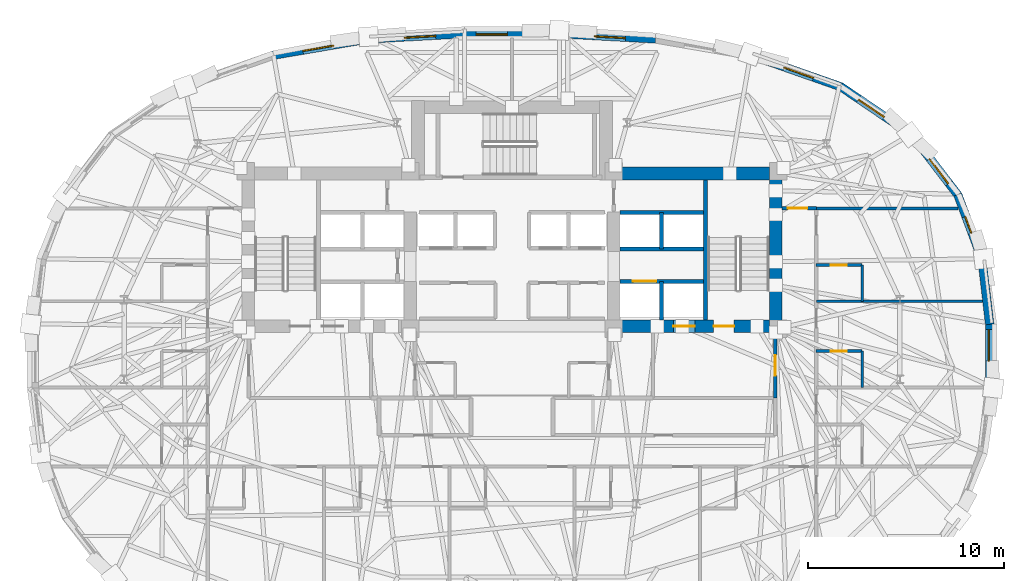
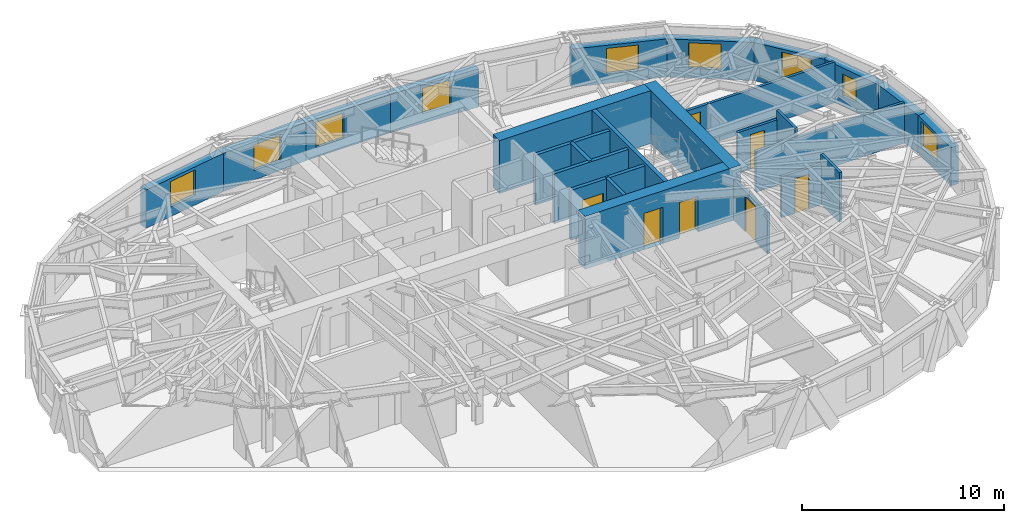
# One storey, part 10 of 15: 27 walls, 9 windows, 7 doors, 16 openings.
"""IFC4 building model written with IfcOpenShell, lengths in metres."""

from ifc_helpers import new_model, si_unit, direction, frame, frame_2d, origin, place, context, subcontext, project, spatial, rectangle, extrude, material, layer, layer_set, type_object, element, fill, save


model = new_model("IFC4")

# Units and contexts
model_context = context("Model", 3, precision=1e-05, world=origin(), true_north=direction((0.0, 1.0)))
body_context = subcontext(model_context, "Body", "Model", "MODEL_VIEW")
ifc_project = project(units=[si_unit("LENGTHUNIT", "METRE"), si_unit("AREAUNIT", "SQUARE_METRE"), si_unit("VOLUMEUNIT", "CUBIC_METRE"), si_unit("PLANEANGLEUNIT", "RADIAN"), si_unit("MASSUNIT", "GRAM", prefix="KILO")], contexts=[model_context])

# Site, building, storey
site_placement = place(None, origin())
site = spatial("IfcSite", under=ifc_project, at=site_placement, CompositionType="ELEMENT")
building_placement = place(site_placement, origin())
building = spatial("IfcBuilding", under=site, at=building_placement, Name="Keldmark Tower", CompositionType="ELEMENT")
storey_placement = place(building_placement, frame((0.0, 0.0, 143.800048828125)))
storey = spatial("IfcBuildingStorey", under=building, at=storey_placement, Name="L38", CompositionType="ELEMENT", Elevation=143.800048828125)

# Wall, opening, door
ifc_material_1 = material(Name="Type X Fire-Rated Gypsum Partition Assembly", Category="gypsum")
ifc_layer_1 = layer(ifc_material_1, 0.1650390625)
ifc_layer_set_1 = layer_set([ifc_layer_1], Name="Type X Fire-Rated Gypsum Partition Assembly")
wall_type_1 = type_object("IfcWallType", Name="Rated Partition 165 mm", PredefinedType="PARTITIONING", material=ifc_layer_set_1)
wall_1_placement = place(storey_placement, frame((13.449951171875, -2.14990234375, 0.0), z_axis=(0.0, 0.0, 1.0), x_axis=(0.0, 1.0, 0.0)))
wall_1 = element("IfcWall", 1, at=wall_1_placement, inside=storey, type_object=wall_type_1, Name="L38 Rated Partition 165 mm FSAE-E-E", PredefinedType="PARTITIONING", context=body_context, shape_type="SweptSolid", body=[
    extrude(rectangle(XDim=3.39990234375, YDim=0.1650390625, at=frame_2d((1.699951171875, 0.0))), origin(), (0.0, 0.0, 1.0), 2.472900390625),
])
opening_1_placement = place(wall_1_placement, frame((1.14990234375, 0.0, 0.0)))
opening_1 = element("IfcOpeningElement", 2, at=opening_1_placement, cuts=wall_1, Name="Opening D-FL105", PredefinedType="OPENING", context=body_context, shape_type="SweptSolid", body=[
    extrude(rectangle(XDim=1.050048828125, YDim=2.14990234375, at=frame_2d((0.52490234375, 1.074951171875))), frame((0.0, 0.092529296875, 0.0), z_axis=(0.0, -1.0, 0.0), x_axis=(1.0, 0.0, 0.0)), (0.0, 0.0, 1.0), 0.18505859375),
])
ifc_material_2 = material(Name="Fire-Rated Mineral-Core Door and Vision Lite", Category="metal")
door_type_1 = type_object("IfcDoorType", Name="Fire Lobby Door 1050x2150", OperationType="NOTDEFINED", PredefinedType="DOOR", material=ifc_material_2)
door_1_placement = place(opening_1_placement, origin())
door_1 = element("IfcDoor", 3, at=door_1_placement, inside=storey, type_object=door_type_1, Name="L38 Fire Lobby Door 1050x2150 D-FSAEE-OUT-L38", OperationType="SINGLE_SWING_LEFT", OverallHeight=2.14990234375, OverallWidth=1.050048828125, PredefinedType="DOOR", context=body_context, shape_type="SweptSolid", body=[
    extrude(rectangle(XDim=1.050048828125, YDim=2.14990234375, at=frame_2d((0.52490234375, 1.074951171875))), frame((0.0, 0.02490234375, 0.0), z_axis=(0.0, -1.0, 0.0), x_axis=(1.0, 0.0, 0.0)), (0.0, 0.0, 1.0), 0.050048828125),
])
fill(opening_1, door_1)

wall_2_placement = place(storey_placement, frame((13.800048828125, 7.550048828125, 0.0), z_axis=(0.0, 0.0, 1.0), x_axis=(1.0, 0.0, 0.0)))
wall_2 = element("IfcWall", 4, at=wall_2_placement, inside=storey, type_object=wall_type_1, Name="L38 Rated Partition 165 mm HCOR-EN", PredefinedType="PARTITIONING", context=body_context, shape_type="SweptSolid", body=[
    extrude(rectangle(XDim=1.75, YDim=0.1650390625, at=frame_2d((0.875, 0.0))), origin(), (0.0, 0.0, 1.0), 2.472900390625),
])
opening_2_placement = place(wall_2_placement, frame((0.300048828125, 0.0, 0.0)))
opening_2 = element("IfcOpeningElement", 5, at=opening_2_placement, cuts=wall_2, Name="Opening D-FD100", PredefinedType="OPENING", context=body_context, shape_type="SweptSolid", body=[
    extrude(rectangle(XDim=1.0, YDim=2.14990234375, at=frame_2d((0.5, 1.074951171875))), frame((0.0, 0.092529296875, 0.0), z_axis=(0.0, -1.0, 0.0), x_axis=(1.0, 0.0, 0.0)), (0.0, 0.0, 1.0), 0.18505859375),
])
ifc_material_3 = material(Name="Hollow Metal Fire-Rated Corridor Door", Category="metal")
door_type_2 = type_object("IfcDoorType", Name="Fire Door 1000x2150", OperationType="NOTDEFINED", PredefinedType="DOOR", material=ifc_material_3)
door_2_placement = place(opening_2_placement, origin())
door_2 = element("IfcDoor", 6, at=door_2_placement, inside=storey, type_object=door_type_2, Name="L38 Fire Door 1000x2150 D-HNNE-L38", OperationType="SINGLE_SWING_RIGHT", OverallHeight=2.14990234375, OverallWidth=1.0, PredefinedType="DOOR", context=body_context, shape_type="SweptSolid", body=[
    extrude(rectangle(XDim=1.0, YDim=2.14990234375, at=frame_2d((0.5, 1.074951171875))), frame((0.0, 0.02490234375, 0.0), z_axis=(0.0, -1.0, 0.0), x_axis=(1.0, 0.0, 0.0)), (0.0, 0.0, 1.0), 0.050048828125),
])
fill(opening_2, door_2)

ifc_material_4 = material(Name="Fire-Resistant Type X Gypsum Shaftliner Coreboard", Category="gypsum")
ifc_layer_2 = layer(ifc_material_4, 0.199951171875)
ifc_layer_set_2 = layer_set([ifc_layer_2], Name="Fire-Resistant Type X Gypsum Shaftliner Coreboard")
wall_type_2 = type_object("IfcWallType", Name="Shaft Wall 200 mm", PredefinedType="SOLIDWALL", material=ifc_layer_set_2)
wall_3_placement = place(storey_placement, frame((5.52490234375, 3.820068359375, 0.0), z_axis=(0.0, 0.0, 1.0), x_axis=(1.0, 0.0, 0.0)))
wall_3 = element("IfcWall", 7, at=wall_3_placement, inside=storey, type_object=wall_type_2, Name="L38 Shaft Wall 200 mm HW-E-S", PredefinedType="SOLIDWALL", context=body_context, shape_type="SweptSolid", body=[
    extrude(rectangle(XDim=4.255126953125, YDim=0.199951171875, at=frame_2d((2.12744140625, 0.0))), origin(), (0.0, 0.0, 1.0), 3.02001953125),
])
opening_3_placement = place(wall_3_placement, frame((0.64990234375, 0.0, 0.0)))
opening_3 = element("IfcOpeningElement", 8, at=opening_3_placement, cuts=wall_3, Name="Opening LD-120", PredefinedType="OPENING", context=body_context, shape_type="SweptSolid", body=[
    extrude(rectangle(XDim=1.199951171875, YDim=2.199951171875, at=frame_2d((0.60009765625, 1.10009765625))), frame((0.0, 0.10986328125, 0.0), z_axis=(0.0, -1.0, 0.0), x_axis=(1.0, 0.0, 0.0)), (0.0, 0.0, 1.0), 0.219970703125),
])
ifc_material_5 = material(Name="Heavy-Duty Brushed Metal Hoistway Sliding Leaf", Category="metal")
door_type_3 = type_object("IfcDoorType", Name="Service Lift Sliding Door 1200x2200", OperationType="SLIDING_TO_RIGHT", PredefinedType="DOOR", material=ifc_material_5)
door_3_placement = place(opening_3_placement, origin())
door_3 = element("IfcDoor", 9, at=door_3_placement, inside=storey, type_object=door_type_3, Name="L38 Service Lift Sliding Door 1200x2200 LD-EL-SV1-L38", OperationType="SLIDING_TO_RIGHT", OverallHeight=2.199951171875, OverallWidth=1.199951171875, PredefinedType="DOOR", context=body_context, shape_type="SweptSolid", body=[
    extrude(rectangle(XDim=1.199951171875, YDim=2.199951171875, at=frame_2d((0.60009765625, 1.10009765625))), frame((0.0, 0.02490234375, 0.0), z_axis=(0.0, -1.0, 0.0), x_axis=(1.0, 0.0, 0.0)), (0.0, 0.0, 1.0), 0.050048828125),
])
fill(opening_3, door_3)

# Walls
wall_4_placement = place(storey_placement, frame((7.64990234375, 1.85009765625, 0.0), z_axis=(0.0, 0.0, 1.0), x_axis=(0.0, 1.0, 0.0)))
element("IfcWall", 10, at=wall_4_placement, inside=storey, type_object=wall_type_2, Name="L38 Shaft Wall 200 mm HW-E-M", PredefinedType="SOLIDWALL", context=body_context, shape_type="SweptSolid", body=[
    extrude(rectangle(XDim=1.969970703125, YDim=0.199951171875, at=frame_2d((0.98486328125, 0.0))), origin(), (0.0, 0.0, 1.0), 3.02001953125),
])
for number, where, z_axis, x_axis, name in (
    (11, (5.52490234375, 5.469970703125, 0.0), (0.0, 0.0, 1.0), (1.0, 0.0, 0.0), "L38 Shaft Wall 200 mm HW-E-N"),
    (12, (5.52490234375, 7.330078125, 0.0), (0.0, 0.0, 1.0), (1.0, 0.0, 0.0), "L38 Shaft Wall 200 mm HW-E-TOP"),
):
    element("IfcWall", number, at=place(storey_placement, frame(where, z_axis=z_axis, x_axis=x_axis)), inside=storey, type_object=wall_type_2, Name=name, PredefinedType="SOLIDWALL", context=body_context, shape_type="SweptSolid", body=[
        extrude(rectangle(XDim=4.255126953125, YDim=0.199951171875, at=frame_2d((2.12744140625, 0.0))), origin(), (0.0, 0.0, 1.0), 3.02001953125),
    ])
wall_5_placement = place(storey_placement, frame((7.64990234375, 5.469970703125, 0.0), z_axis=(0.0, 0.0, 1.0), x_axis=(0.0, 1.0, 0.0)))
element("IfcWall", 13, at=wall_5_placement, inside=storey, type_object=wall_type_2, Name="L38 Shaft Wall 200 mm HW-E-NM", PredefinedType="SOLIDWALL", context=body_context, shape_type="SweptSolid", body=[
    extrude(rectangle(XDim=1.860107421875, YDim=0.199951171875, at=frame_2d((0.93017578125, 0.0))), origin(), (0.0, 0.0, 1.0), 3.02001953125),
])
ifc_material_6 = material(Name="Concrete C50/60", Category="concrete")
ifc_layer_3 = layer(ifc_material_6, 0.219970703125)
ifc_layer_set_3 = layer_set([ifc_layer_3], Name="Concrete C50/60")
wall_type_3 = type_object("IfcWallType", Name="Stair Core Shear Wall 220 mm", PredefinedType="SHEAR", material=ifc_layer_set_3)
wall_6_placement = place(storey_placement, frame((9.889892578125, 1.85009765625, 0.0), z_axis=(0.0, 0.0, 1.0), x_axis=(0.0, 1.0, 0.0)))
element("IfcWall", 14, at=wall_6_placement, inside=storey, type_object=wall_type_3, Name="L38 East Stair Core Shear Wall", PredefinedType="SHEAR", context=body_context, shape_type="SweptSolid", body=[
    extrude(rectangle(XDim=7.14990234375, YDim=0.219970703125, at=frame_2d((3.574951171875, 0.0))), origin(), (0.0, 0.0, 1.0), 3.199951171875),
])
ifc_material_7 = material(Name="Ironspot Manganese Brick and Kasota Buff Limestone Spandrel Assembly", Category="masonry")
ifc_layer_4 = layer(ifc_material_7, 0.43994140625)
ifc_layer_set_4 = layer_set([ifc_layer_4], Name="Ironspot Manganese Brick and Kasota Buff Limestone Spandrel Assembly")
wall_type_4 = type_object("IfcWallType", Name="Tower Brick Pier and Spandrel Wall 440 mm", PredefinedType="STANDARD", material=ifc_layer_set_4)
wall_7_placement = place(storey_placement, frame((24.02099609375, 4.958251953125, 0.0), z_axis=(0.0, 0.0, 1.0), x_axis=(0.116605336518, -0.993178330158, 0.0)))
element("IfcWall", 15, at=wall_7_placement, inside=storey, type_object=wall_type_4, Name="L38 Exterior Brick and Spandrel Wall 01", PredefinedType="STANDARD", context=body_context, shape_type="SweptSolid", body=[
    extrude(rectangle(XDim=3.362548828125, YDim=0.43994140625, at=frame_2d((1.68115234375, 0.0))), origin(), (0.0, 0.0, 1.0), 2.31494140625),
])

# Wall, opening, window
wall_8_placement = place(storey_placement, frame((22.785400390625, 8.2529296875, 0.0), z_axis=(0.0, 0.0, 1.0), x_axis=(0.349422124021, -0.936965409844, 0.0)))
wall_8 = element("IfcWall", 16, at=wall_8_placement, inside=storey, type_object=wall_type_4, Name="L38 Exterior Brick and Spandrel Wall 02", PredefinedType="STANDARD", context=body_context, shape_type="SweptSolid", body=[
    extrude(rectangle(XDim=3.571044921875, YDim=0.43994140625, at=frame_2d((1.78564453125, 0.0))), origin(), (0.0, 0.0, 1.0), 2.31494140625),
])
opening_4_placement = place(wall_8_placement, frame((1.1875, 0.0, 0.580078125)))
opening_4 = element("IfcOpeningElement", 17, at=opening_4_placement, cuts=wall_8, Name="Opening W-09", PredefinedType="OPENING", context=body_context, shape_type="SweptSolid", body=[
    extrude(rectangle(XDim=0.89990234375, YDim=1.35009765625, at=frame_2d((0.449951171875, 0.675048828125))), frame((0.0, 0.22998046875, 0.0), z_axis=(0.0, -1.0, 0.0), x_axis=(1.0, 0.0, 0.0)), (0.0, 0.0, 1.0), 0.4599609375),
])
ifc_material_8 = material(Name="Thermally Broken Anodized Aluminum and Triple Low-E Argon Glazing", Category="aluminium")
window_type_1 = type_object("IfcWindowType", Name="Corner Pier Deep-Set Window 900x1350", PartitioningType="SINGLE_PANEL", PredefinedType="WINDOW", material=ifc_material_8)
window_1_placement = place(opening_4_placement, origin())
window_1 = element("IfcWindow", 18, at=window_1_placement, inside=storey, type_object=window_type_1, Name="L38 Deep-Set Window 02", OverallHeight=1.35009765625, OverallWidth=0.89990234375, PartitioningType="SINGLE_PANEL", PredefinedType="WINDOW", context=body_context, shape_type="SweptSolid", body=[
    extrude(rectangle(XDim=0.89990234375, YDim=1.35009765625, at=frame_2d((0.449951171875, 0.675048828125))), frame((0.0, -0.010009765625, 0.0), z_axis=(0.0, -1.0, 0.0), x_axis=(1.0, 0.0, 0.0)), (0.0, 0.0, 1.0), 0.06005859375),
])
fill(opening_4, window_1)

wall_9_placement = place(storey_placement, frame((20.42529296875, 11.32568359375, 0.0), z_axis=(0.0, 0.0, 1.0), x_axis=(0.607215400231, -0.794537260122, 0.0)))
wall_9 = element("IfcWall", 19, at=wall_9_placement, inside=storey, type_object=wall_type_4, Name="L38 Exterior Brick and Spandrel Wall 03", PredefinedType="STANDARD", context=body_context, shape_type="SweptSolid", body=[
    extrude(rectangle(XDim=3.938720703125, YDim=0.43994140625, at=frame_2d((1.96923828125, 0.0))), origin(), (0.0, 0.0, 1.0), 2.31494140625),
])
opening_5_placement = place(wall_9_placement, frame((1.5419921875, 0.0, 0.580078125)))
opening_5 = element("IfcOpeningElement", 20, at=opening_5_placement, cuts=wall_9, Name="Opening W-04", PredefinedType="OPENING", context=body_context, shape_type="SweptSolid", body=[
    extrude(rectangle(XDim=1.60009765625, YDim=1.550048828125, at=frame_2d((0.800048828125, 0.77490234375))), frame((0.0, 0.22998046875, 0.0), z_axis=(0.0, -1.0, 0.0), x_axis=(1.0, 0.0, 0.0)), (0.0, 0.0, 1.0), 0.4599609375),
])
ifc_material_9 = material(Name="Thermally Broken Anodized Aluminum and Triple Low-E Argon Glazing", Category="aluminium")
window_type_2 = type_object("IfcWindowType", Name="Hotel Deep-Set Operable Window 1600x1550", PartitioningType="DOUBLE_PANEL_HORIZONTAL", PredefinedType="WINDOW", material=ifc_material_9)
window_2_placement = place(opening_5_placement, origin())
window_2 = element("IfcWindow", 21, at=window_2_placement, inside=storey, type_object=window_type_2, Name="L38 Deep-Set Window 03", OverallHeight=1.550048828125, OverallWidth=1.60009765625, PartitioningType="SINGLE_PANEL", PredefinedType="WINDOW", context=body_context, shape_type="SweptSolid", body=[
    extrude(rectangle(XDim=1.60009765625, YDim=1.550048828125, at=frame_2d((0.800048828125, 0.77490234375))), frame((0.0, -0.010009765625, 0.0), z_axis=(0.0, -1.0, 0.0), x_axis=(1.0, 0.0, 0.0)), (0.0, 0.0, 1.0), 0.06005859375),
])
fill(opening_5, window_2)

wall_10_placement = place(storey_placement, frame((16.78271484375, 13.78125, 0.0), z_axis=(0.0, 0.0, 1.0), x_axis=(0.827741657842, -0.561109390291, 0.0)))
wall_10 = element("IfcWall", 22, at=wall_10_placement, inside=storey, type_object=wall_type_4, Name="L38 Exterior Brick and Spandrel Wall 04", PredefinedType="STANDARD", context=body_context, shape_type="SweptSolid", body=[
    extrude(rectangle(XDim=4.462890625, YDim=0.43994140625, at=frame_2d((2.2314453125, 0.0))), origin(), (0.0, 0.0, 1.0), 2.31494140625),
])
opening_6_placement = place(wall_10_placement, frame((1.1357421875, 0.0, 0.580078125)))
opening_6 = element("IfcOpeningElement", 23, at=opening_6_placement, cuts=wall_10, Name="Opening W-04", PredefinedType="OPENING", context=body_context, shape_type="SweptSolid", body=[
    extrude(rectangle(XDim=1.60009765625, YDim=1.550048828125, at=frame_2d((0.800048828125, 0.77490234375))), frame((0.0, 0.22998046875, 0.0), z_axis=(0.0, -1.0, 0.0), x_axis=(1.0, 0.0, 0.0)), (0.0, 0.0, 1.0), 0.4599609375),
])
window_3_placement = place(opening_6_placement, origin())
window_3 = element("IfcWindow", 24, at=window_3_placement, inside=storey, type_object=window_type_2, Name="L38 Deep-Set Window 04", OverallHeight=1.550048828125, OverallWidth=1.60009765625, PartitioningType="SINGLE_PANEL", PredefinedType="WINDOW", context=body_context, shape_type="SweptSolid", body=[
    extrude(rectangle(XDim=1.60009765625, YDim=1.550048828125, at=frame_2d((0.800048828125, 0.77490234375))), frame((0.0, -0.010009765625, 0.0), z_axis=(0.0, -1.0, 0.0), x_axis=(1.0, 0.0, 0.0)), (0.0, 0.0, 1.0), 0.06005859375),
])
fill(opening_6, window_3)

wall_11_placement = place(storey_placement, frame((12.21630859375, 15.376708984375, 0.0), z_axis=(0.0, 0.0, 1.0), x_axis=(0.943528860281, -0.331290340662, 0.0)))
wall_11 = element("IfcWall", 25, at=wall_11_placement, inside=storey, type_object=wall_type_4, Name="L38 Exterior Brick and Spandrel Wall 05", PredefinedType="STANDARD", context=body_context, shape_type="SweptSolid", body=[
    extrude(rectangle(XDim=4.893310546875, YDim=0.43994140625, at=frame_2d((2.44677734375, 0.0))), origin(), (0.0, 0.0, 1.0), 2.31494140625),
])
opening_7_placement = place(wall_11_placement, frame((1.796142578125, 0.0, 0.580078125)))
opening_7 = element("IfcOpeningElement", 26, at=opening_7_placement, cuts=wall_11, Name="Opening W-04", PredefinedType="OPENING", context=body_context, shape_type="SweptSolid", body=[
    extrude(rectangle(XDim=1.60009765625, YDim=1.550048828125, at=frame_2d((0.800048828125, 0.77490234375))), frame((0.0, 0.22998046875, 0.0), z_axis=(0.0, -1.0, 0.0), x_axis=(1.0, 0.0, 0.0)), (0.0, 0.0, 1.0), 0.4599609375),
])
window_4_placement = place(opening_7_placement, origin())
window_4 = element("IfcWindow", 27, at=window_4_placement, inside=storey, type_object=window_type_2, Name="L38 Deep-Set Window 05", OverallHeight=1.550048828125, OverallWidth=1.60009765625, PartitioningType="SINGLE_PANEL", PredefinedType="WINDOW", context=body_context, shape_type="SweptSolid", body=[
    extrude(rectangle(XDim=1.60009765625, YDim=1.550048828125, at=frame_2d((0.800048828125, 0.77490234375))), frame((0.0, -0.010009765625, 0.0), z_axis=(0.0, -1.0, 0.0), x_axis=(1.0, 0.0, 0.0)), (0.0, 0.0, 1.0), 0.06005859375),
])
fill(opening_7, window_4)

wall_12_placement = place(storey_placement, frame((2.414306640625, 16.47607421875, 0.0), z_axis=(0.0, 0.0, 1.0), x_axis=(0.998547098553, -0.05388591627, 0.0)))
wall_12 = element("IfcWall", 28, at=wall_12_placement, inside=storey, type_object=wall_type_4, Name="L38 Exterior Brick and Spandrel Wall 07", PredefinedType="STANDARD", context=body_context, shape_type="SweptSolid", body=[
    extrude(rectangle(XDim=4.933837890625, YDim=0.43994140625, at=frame_2d((2.466796875, 0.0))), origin(), (0.0, 0.0, 1.0), 2.31494140625),
])
opening_8_placement = place(wall_12_placement, frame((1.79150390625, 0.0, 0.580078125)))
opening_8 = element("IfcOpeningElement", 29, at=opening_8_placement, cuts=wall_12, Name="Opening W-04", PredefinedType="OPENING", context=body_context, shape_type="SweptSolid", body=[
    extrude(rectangle(XDim=1.60009765625, YDim=1.550048828125, at=frame_2d((0.800048828125, 0.77490234375))), frame((0.0, 0.22998046875, 0.0), z_axis=(0.0, -1.0, 0.0), x_axis=(1.0, 0.0, 0.0)), (0.0, 0.0, 1.0), 0.4599609375),
])
window_5_placement = place(opening_8_placement, origin())
window_5 = element("IfcWindow", 30, at=window_5_placement, inside=storey, type_object=window_type_2, Name="L38 Deep-Set Window 07", OverallHeight=1.550048828125, OverallWidth=1.60009765625, PartitioningType="SINGLE_PANEL", PredefinedType="WINDOW", context=body_context, shape_type="SweptSolid", body=[
    extrude(rectangle(XDim=1.60009765625, YDim=1.550048828125, at=frame_2d((0.800048828125, 0.77490234375))), frame((0.0, -0.010009765625, 0.0), z_axis=(0.0, -1.0, 0.0), x_axis=(1.0, 0.0, 0.0)), (0.0, 0.0, 1.0), 0.06005859375),
])
fill(opening_8, window_5)

wall_13_placement = place(storey_placement, frame((-2.426025390625, 16.4755859375, 0.0), z_axis=(0.0, 0.0, 1.0), x_axis=(1.0, 0.0, 0.0)))
wall_13 = element("IfcWall", 31, at=wall_13_placement, inside=storey, type_object=wall_type_4, Name="L38 Exterior Brick and Spandrel Wall 08", PredefinedType="STANDARD", context=body_context, shape_type="SweptSolid", body=[
    extrude(rectangle(XDim=4.85205078125, YDim=0.43994140625, at=frame_2d((2.426025390625, 0.0))), origin(), (0.0, 0.0, 1.0), 2.31494140625),
])
opening_9_placement = place(wall_13_placement, frame((0.593505859375, 0.0, 0.580078125)))
opening_9 = element("IfcOpeningElement", 32, at=opening_9_placement, cuts=wall_13, Name="Opening W-04", PredefinedType="OPENING", context=body_context, shape_type="SweptSolid", body=[
    extrude(rectangle(XDim=1.60009765625, YDim=1.550048828125, at=frame_2d((0.800048828125, 0.77490234375))), frame((0.0, 0.22998046875, 0.0), z_axis=(0.0, -1.0, 0.0), x_axis=(1.0, 0.0, 0.0)), (0.0, 0.0, 1.0), 0.4599609375),
])
window_6_placement = place(opening_9_placement, origin())
window_6 = element("IfcWindow", 33, at=window_6_placement, inside=storey, type_object=window_type_2, Name="L38 Deep-Set Window 08", OverallHeight=1.550048828125, OverallWidth=1.60009765625, PartitioningType="SINGLE_PANEL", PredefinedType="WINDOW", context=body_context, shape_type="SweptSolid", body=[
    extrude(rectangle(XDim=1.60009765625, YDim=1.550048828125, at=frame_2d((0.800048828125, 0.77490234375))), frame((0.0, -0.010009765625, 0.0), z_axis=(0.0, -1.0, 0.0), x_axis=(1.0, 0.0, 0.0)), (0.0, 0.0, 1.0), 0.06005859375),
])
fill(opening_9, window_6)

wall_14_placement = place(storey_placement, frame((-7.341064453125, 16.210205078125, 0.0), z_axis=(0.0, 0.0, 1.0), x_axis=(0.998547098553, 0.05388591627, 0.0)))
wall_14 = element("IfcWall", 34, at=wall_14_placement, inside=storey, type_object=wall_type_4, Name="L38 Exterior Brick and Spandrel Wall 09", PredefinedType="STANDARD", context=body_context, shape_type="SweptSolid", body=[
    extrude(rectangle(XDim=4.933837890625, YDim=0.43994140625, at=frame_2d((2.466796875, 0.0))), origin(), (0.0, 0.0, 1.0), 2.31494140625),
])
opening_10_placement = place(wall_14_placement, frame((1.841064453125, 0.0, 0.580078125)))
opening_10 = element("IfcOpeningElement", 35, at=opening_10_placement, cuts=wall_14, Name="Opening W-04", PredefinedType="OPENING", context=body_context, shape_type="SweptSolid", body=[
    extrude(rectangle(XDim=1.60009765625, YDim=1.550048828125, at=frame_2d((0.800048828125, 0.77490234375))), frame((0.0, 0.22998046875, 0.0), z_axis=(0.0, -1.0, 0.0), x_axis=(1.0, 0.0, 0.0)), (0.0, 0.0, 1.0), 0.4599609375),
])
window_7_placement = place(opening_10_placement, origin())
window_7 = element("IfcWindow", 36, at=window_7_placement, inside=storey, type_object=window_type_2, Name="L38 Deep-Set Window 09", OverallHeight=1.550048828125, OverallWidth=1.60009765625, PartitioningType="SINGLE_PANEL", PredefinedType="WINDOW", context=body_context, shape_type="SweptSolid", body=[
    extrude(rectangle(XDim=1.60009765625, YDim=1.550048828125, at=frame_2d((0.800048828125, 0.77490234375))), frame((0.0, -0.010009765625, 0.0), z_axis=(0.0, -1.0, 0.0), x_axis=(1.0, 0.0, 0.0)), (0.0, 0.0, 1.0), 0.06005859375),
])
fill(opening_10, window_7)

wall_15_placement = place(storey_placement, frame((-12.252197265625, 15.367431640625, 0.0), z_axis=(0.0, 0.0, 1.0), x_axis=(0.985640803986, 0.168855575915, 0.0)))
wall_15 = element("IfcWall", 37, at=wall_15_placement, inside=storey, type_object=wall_type_4, Name="L38 Exterior Brick and Spandrel Wall 10", PredefinedType="STANDARD", context=body_context, shape_type="SweptSolid", body=[
    extrude(rectangle(XDim=5.008544921875, YDim=0.43994140625, at=frame_2d((2.50439453125, 0.0))), origin(), (0.0, 0.0, 1.0), 2.31494140625),
])
opening_11_placement = place(wall_15_placement, frame((1.580810546875, 0.0, 0.580078125)))
opening_11 = element("IfcOpeningElement", 38, at=opening_11_placement, cuts=wall_15, Name="Opening W-04", PredefinedType="OPENING", context=body_context, shape_type="SweptSolid", body=[
    extrude(rectangle(XDim=1.60009765625, YDim=1.550048828125, at=frame_2d((0.800048828125, 0.77490234375))), frame((0.0, 0.22998046875, 0.0), z_axis=(0.0, -1.0, 0.0), x_axis=(1.0, 0.0, 0.0)), (0.0, 0.0, 1.0), 0.4599609375),
])
window_8_placement = place(opening_11_placement, origin())
window_8 = element("IfcWindow", 39, at=window_8_placement, inside=storey, type_object=window_type_2, Name="L38 Deep-Set Window 10", OverallHeight=1.550048828125, OverallWidth=1.60009765625, PartitioningType="SINGLE_PANEL", PredefinedType="WINDOW", context=body_context, shape_type="SweptSolid", body=[
    extrude(rectangle(XDim=1.60009765625, YDim=1.550048828125, at=frame_2d((0.800048828125, 0.77490234375))), frame((0.0, -0.010009765625, 0.0), z_axis=(0.0, -1.0, 0.0), x_axis=(1.0, 0.0, 0.0)), (0.0, 0.0, 1.0), 0.06005859375),
])
fill(opening_11, window_8)

wall_16_placement = place(storey_placement, frame((24.41162109375, 1.644287109375, 0.0), z_axis=(0.0, 0.0, 1.0), x_axis=(0.0, -1.0, 0.0)))
wall_16 = element("IfcWall", 40, at=wall_16_placement, inside=storey, type_object=wall_type_4, Name="L38 Exterior Brick and Spandrel Wall 32", PredefinedType="STANDARD", context=body_context, shape_type="SweptSolid", body=[
    extrude(rectangle(XDim=3.28857421875, YDim=0.43994140625, at=frame_2d((1.644287109375, 0.0))), origin(), (0.0, 0.0, 1.0), 2.31494140625),
])
opening_12_placement = place(wall_16_placement, frame((0.299072265625, 0.0, 0.580078125)))
opening_12 = element("IfcOpeningElement", 41, at=opening_12_placement, cuts=wall_16, Name="Opening W-04", PredefinedType="OPENING", context=body_context, shape_type="SweptSolid", body=[
    extrude(rectangle(XDim=1.60009765625, YDim=1.550048828125, at=frame_2d((0.800048828125, 0.77490234375))), frame((0.0, 0.22998046875, 0.0), z_axis=(0.0, -1.0, 0.0), x_axis=(1.0, 0.0, 0.0)), (0.0, 0.0, 1.0), 0.4599609375),
])
window_9_placement = place(opening_12_placement, origin())
window_9 = element("IfcWindow", 42, at=window_9_placement, inside=storey, type_object=window_type_2, Name="L38 Deep-Set Window 32", OverallHeight=1.550048828125, OverallWidth=1.60009765625, PartitioningType="SINGLE_PANEL", PredefinedType="WINDOW", context=body_context, shape_type="SweptSolid", body=[
    extrude(rectangle(XDim=1.60009765625, YDim=1.550048828125, at=frame_2d((0.800048828125, 0.77490234375))), frame((0.0, -0.010009765625, 0.0), z_axis=(0.0, -1.0, 0.0), x_axis=(1.0, 0.0, 0.0)), (0.0, 0.0, 1.0), 0.06005859375),
])
fill(opening_12, window_9)

# Walls
ifc_material_10 = material(Name="Concrete C50/60", Category="concrete")
ifc_layer_5 = layer(ifc_material_10, 0.64990234375)
ifc_layer_set_5 = layer_set([ifc_layer_5], Name="Concrete C50/60")
wall_type_5 = type_object("IfcWallType", Name="Upper-Mid Core Shear Wall 650 mm", PredefinedType="SHEAR", material=ifc_layer_set_5)
wall_17_placement = place(storey_placement, frame((13.47509765625, 1.199951171875, 0.0), z_axis=(0.0, 0.0, 1.0), x_axis=(0.0, 1.0, 0.0)))
element("IfcWall", 43, at=wall_17_placement, inside=storey, type_object=wall_type_5, Name="L38 East Core Outer Shear Wall", PredefinedType="SHEAR", context=body_context, shape_type="SweptSolid", body=[
    extrude(rectangle(XDim=8.449951171875, YDim=0.64990234375, at=frame_2d((4.22509765625, 0.0))), origin(), (0.0, 0.0, 1.0), 3.199951171875),
])
wall_18_placement = place(storey_placement, frame((4.47509765625, 9.324951171875, 0.0), z_axis=(0.0, 0.0, 1.0), x_axis=(1.0, 0.0, 0.0)))
element("IfcWall", 44, at=wall_18_placement, inside=storey, type_object=wall_type_5, Name="L38 East Core North Shear Wall", PredefinedType="SHEAR", context=body_context, shape_type="SweptSolid", body=[
    extrude(rectangle(XDim=9.324951171875, YDim=0.64990234375, at=frame_2d((4.66259765625, 0.0))), origin(), (0.0, 0.0, 1.0), 3.199951171875),
])

# Wall, openings, doors
wall_19_placement = place(storey_placement, frame((13.800048828125, 1.52490234375, 0.0), z_axis=(0.0, 0.0, 1.0), x_axis=(-1.0, 0.0, 0.0)))
wall_19 = element("IfcWall", 45, at=wall_19_placement, inside=storey, type_object=wall_type_5, Name="L38 East Core South Shear Wall", PredefinedType="SHEAR", context=body_context, shape_type="SweptSolid", body=[
    extrude(rectangle(XDim=8.925048828125, YDim=0.64990234375, at=frame_2d((4.46240234375, 0.0))), origin(), (0.0, 0.0, 1.0), 3.199951171875),
])
opening_13_placement = place(wall_19_placement, frame((2.449951171875, 0.0, 0.0)))
opening_13 = element("IfcOpeningElement", 46, at=opening_13_placement, cuts=wall_19, Name="Opening D-ST105", PredefinedType="OPENING", context=body_context, shape_type="SweptSolid", body=[
    extrude(rectangle(XDim=1.050048828125, YDim=2.14990234375, at=frame_2d((0.52490234375, 1.074951171875))), frame((0.0, 0.3349609375, 0.0), z_axis=(0.0, -1.0, 0.0), x_axis=(1.0, 0.0, 0.0)), (0.0, 0.0, 1.0), 0.669921875),
])
opening_14_placement = place(wall_19_placement, frame((4.449951171875, 0.0, 0.0)))
opening_14 = element("IfcOpeningElement", 47, at=opening_14_placement, cuts=wall_19, Name="Opening LD-110", PredefinedType="OPENING", context=body_context, shape_type="SweptSolid", body=[
    extrude(rectangle(XDim=1.10009765625, YDim=2.199951171875, at=frame_2d((0.550048828125, 1.10009765625))), frame((0.0, 0.3349609375, 0.0), z_axis=(0.0, -1.0, 0.0), x_axis=(1.0, 0.0, 0.0)), (0.0, 0.0, 1.0), 0.669921875),
])
ifc_material_11 = material(Name="Brushed Bronze Hoistway Sliding Leaf", Category="metal")
door_type_4 = type_object("IfcDoorType", Name="Lift Landing Sliding Door 1100x2200", OperationType="SLIDING_TO_LEFT", PredefinedType="DOOR", material=ifc_material_11)
door_4_placement = place(opening_14_placement, origin())
door_4 = element("IfcDoor", 48, at=door_4_placement, inside=storey, type_object=door_type_4, Name="L38 Lift Landing Sliding Door 1100x2200 LD-EL-FS2-L38", OperationType="SLIDING_TO_LEFT", OverallHeight=2.199951171875, OverallWidth=1.10009765625, PredefinedType="DOOR", context=body_context, shape_type="SweptSolid", body=[
    extrude(rectangle(XDim=1.10009765625, YDim=2.199951171875, at=frame_2d((0.550048828125, 1.10009765625))), frame((0.0, 0.02490234375, 0.0), z_axis=(0.0, -1.0, 0.0), x_axis=(1.0, 0.0, 0.0)), (0.0, 0.0, 1.0), 0.050048828125),
])
fill(opening_14, door_4)
ifc_material_12 = material(Name="Hollow Metal Fire-Rated Door Assembly", Category="metal")
door_type_5 = type_object("IfcDoorType", Name="Stair Fire Door 1050x2150", OperationType="NOTDEFINED", PredefinedType="DOOR", material=ifc_material_12)
door_5_placement = place(opening_13_placement, origin())
door_5 = element("IfcDoor", 49, at=door_5_placement, inside=storey, type_object=door_type_5, Name="L38 Stair Fire Door 1050x2150 D-ST2-L38", OperationType="SINGLE_SWING_LEFT", OverallHeight=2.14990234375, OverallWidth=1.050048828125, PredefinedType="DOOR", context=body_context, shape_type="SweptSolid", body=[
    extrude(rectangle(XDim=1.050048828125, YDim=2.14990234375, at=frame_2d((0.52490234375, 1.074951171875))), frame((0.0, 0.02490234375, 0.0), z_axis=(0.0, -1.0, 0.0), x_axis=(1.0, 0.0, 0.0)), (0.0, 0.0, 1.0), 0.050048828125),
])
fill(opening_13, door_5)

# Walls
ifc_material_13 = material(Name="Moisture-Resistant Gypsum Plumbing Partition", Category="gypsum")
ifc_layer_6 = layer(ifc_material_13, 0.14990234375)
ifc_layer_set_6 = layer_set([ifc_layer_6], Name="Moisture-Resistant Gypsum Plumbing Partition")
wall_type_6 = type_object("IfcWallType", Name="Wet Wall 150 mm", PredefinedType="PLUMBINGWALL", material=ifc_layer_set_6)
wall_20_placement = place(storey_placement, frame((15.550048828125, 7.550048828125, 0.0), z_axis=(0.0, 0.0, 1.0), x_axis=(1.0, 0.0, 0.0)))
element("IfcWall", 50, at=wall_20_placement, inside=storey, type_object=wall_type_6, Name="L38 Wet Wall 150 mm HE-CAP-N", PredefinedType="PLUMBINGWALL", context=body_context, shape_type="SweptSolid", body=[
    extrude(rectangle(XDim=7.254150390625, YDim=0.14990234375, at=frame_2d((3.626953125, 0.0))), origin(), (0.0, 0.0, 1.0), 2.472900390625),
])
wall_21_placement = place(storey_placement, frame((15.550048828125, 2.800048828125, 0.0), z_axis=(0.0, 0.0, 1.0), x_axis=(1.0, 0.0, 0.0)))
element("IfcWall", 51, at=wall_21_placement, inside=storey, type_object=wall_type_6, Name="L38 Wet Wall 150 mm HE-DIV-2", PredefinedType="PLUMBINGWALL", context=body_context, shape_type="SweptSolid", body=[
    extrude(rectangle(XDim=8.49462890625, YDim=0.14990234375, at=frame_2d((4.247314453125, 0.0))), origin(), (0.0, 0.0, 1.0), 2.472900390625),
])

# Wall, opening, door
wall_22_placement = place(storey_placement, frame((15.550048828125, 0.25, 0.0), z_axis=(0.0, 0.0, 1.0), x_axis=(1.0, 0.0, 0.0)))
wall_22 = element("IfcWall", 52, at=wall_22_placement, inside=storey, type_object=wall_type_6, Name="L38 Wet Wall 150 mm HB-10-N", PredefinedType="PLUMBINGWALL", context=body_context, shape_type="SweptSolid", body=[
    extrude(rectangle(XDim=2.349853515625, YDim=0.14990234375, at=frame_2d((1.1748046875, 0.0))), origin(), (0.0, 0.0, 1.0), 2.472900390625),
])
opening_15_placement = place(wall_22_placement, frame((0.75, 0.0, 0.0)))
opening_15 = element("IfcOpeningElement", 53, at=opening_15_placement, cuts=wall_22, Name="Opening D-BT080", PredefinedType="OPENING", context=body_context, shape_type="SweptSolid", body=[
    extrude(rectangle(XDim=0.800048828125, YDim=2.10009765625, at=frame_2d((0.39990234375, 1.050048828125))), frame((0.0, 0.0849609375, 0.0), z_axis=(0.0, -1.0, 0.0), x_axis=(1.0, 0.0, 0.0)), (0.0, 0.0, 1.0), 0.169921875),
])
ifc_material_14 = material(Name="Moisture-Sealed Stained Wood", Category="wood")
door_type_6 = type_object("IfcDoorType", Name="Bathroom Door 800x2100", OperationType="NOTDEFINED", PredefinedType="DOOR", material=ifc_material_14)
door_6_placement = place(opening_15_placement, origin())
door_6 = element("IfcDoor", 54, at=door_6_placement, inside=storey, type_object=door_type_6, Name="L38 Bathroom Door 800x2100 D-HB-10-L38", OperationType="SINGLE_SWING_LEFT", OverallHeight=2.10009765625, OverallWidth=0.800048828125, PredefinedType="DOOR", context=body_context, shape_type="SweptSolid", body=[
    extrude(rectangle(XDim=0.800048828125, YDim=2.10009765625, at=frame_2d((0.39990234375, 1.050048828125))), frame((0.0, 0.02490234375, 0.0), z_axis=(0.0, -1.0, 0.0), x_axis=(1.0, 0.0, 0.0)), (0.0, 0.0, 1.0), 0.050048828125),
])
fill(opening_15, door_6)

# Wall
wall_23_placement = place(storey_placement, frame((17.89990234375, -1.60009765625, 0.0), z_axis=(0.0, 0.0, 1.0), x_axis=(0.0, 1.0, 0.0)))
element("IfcWall", 55, at=wall_23_placement, inside=storey, type_object=wall_type_6, Name="L38 Wet Wall 150 mm HB-10-IN", PredefinedType="PLUMBINGWALL", context=body_context, shape_type="SweptSolid", body=[
    extrude(rectangle(XDim=1.85009765625, YDim=0.14990234375, at=frame_2d((0.925048828125, 0.0))), origin(), (0.0, 0.0, 1.0), 3.02001953125),
])

# Wall, opening, door
wall_24_placement = place(storey_placement, frame((15.550048828125, 4.64990234375, 0.0), z_axis=(0.0, 0.0, 1.0), x_axis=(1.0, 0.0, 0.0)))
wall_24 = element("IfcWall", 56, at=wall_24_placement, inside=storey, type_object=wall_type_6, Name="L38 Wet Wall 150 mm HB-11-N", PredefinedType="PLUMBINGWALL", context=body_context, shape_type="SweptSolid", body=[
    extrude(rectangle(XDim=2.349853515625, YDim=0.14990234375, at=frame_2d((1.1748046875, 0.0))), origin(), (0.0, 0.0, 1.0), 2.472900390625),
])
opening_16_placement = place(wall_24_placement, frame((0.75, 0.0, 0.0)))
opening_16 = element("IfcOpeningElement", 57, at=opening_16_placement, cuts=wall_24, Name="Opening D-BT080", PredefinedType="OPENING", context=body_context, shape_type="SweptSolid", body=[
    extrude(rectangle(XDim=0.800048828125, YDim=2.10009765625, at=frame_2d((0.39990234375, 1.050048828125))), frame((0.0, 0.0849609375, 0.0), z_axis=(0.0, -1.0, 0.0), x_axis=(1.0, 0.0, 0.0)), (0.0, 0.0, 1.0), 0.169921875),
])
door_7_placement = place(opening_16_placement, origin())
door_7 = element("IfcDoor", 58, at=door_7_placement, inside=storey, type_object=door_type_6, Name="L38 Bathroom Door 800x2100 D-HB-11-L38", OperationType="SINGLE_SWING_LEFT", OverallHeight=2.10009765625, OverallWidth=0.800048828125, PredefinedType="DOOR", context=body_context, shape_type="SweptSolid", body=[
    extrude(rectangle(XDim=0.800048828125, YDim=2.10009765625, at=frame_2d((0.39990234375, 1.050048828125))), frame((0.0, 0.02490234375, 0.0), z_axis=(0.0, -1.0, 0.0), x_axis=(1.0, 0.0, 0.0)), (0.0, 0.0, 1.0), 0.050048828125),
])
fill(opening_16, door_7)

# Wall
wall_25_placement = place(storey_placement, frame((17.89990234375, 2.800048828125, 0.0), z_axis=(0.0, 0.0, 1.0), x_axis=(0.0, 1.0, 0.0)))
element("IfcWall", 59, at=wall_25_placement, inside=storey, type_object=wall_type_6, Name="L38 Wet Wall 150 mm HB-11-IN", PredefinedType="PLUMBINGWALL", context=body_context, shape_type="SweptSolid", body=[
    extrude(rectangle(XDim=1.849853515625, YDim=0.14990234375, at=frame_2d((0.9248046875, 0.0))), origin(), (0.0, 0.0, 1.0), 3.02001953125),
])

save(model, "model.ifc")
